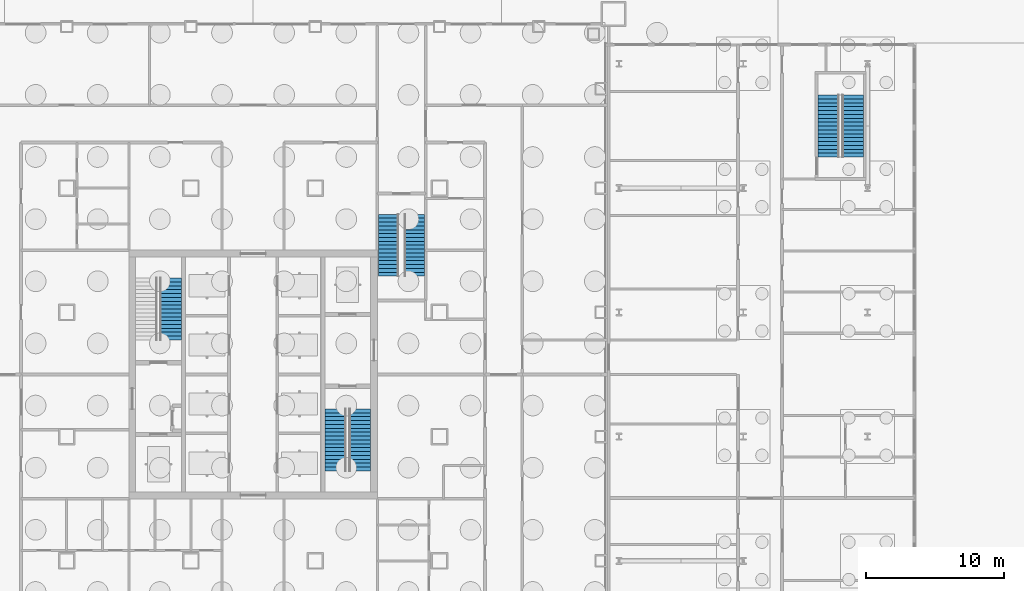
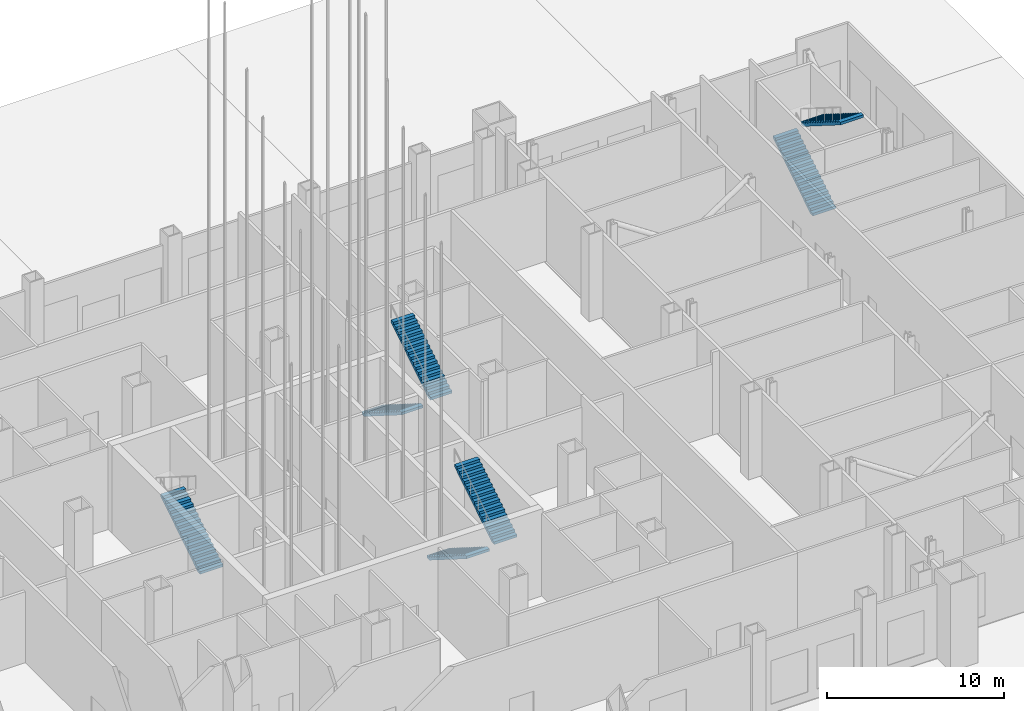
# One storey, part 14 of 36: 7 stair flights, 4 elements without a shape of their own.
"""IFC4 building model written with IfcOpenShell, lengths in metres."""

import ifcopenshell
import ifcopenshell.guid

model = None  # the IFC model being written
_history = None  # IfcOwnerHistory: only IFC2X3 demands one
_inside = {}  # id of a spatial element -> (the spatial element, [elements in it])
_under = {}  # id of a project, library or spatial element -> (it, [spatial elements below it])
_declared = {}  # id of a project -> (the project, [libraries it declares])
_typed = {}  # id of a type object -> (the type object, [elements of that type])
_made_of = {}  # id of a material, layer set ... -> (it, [elements and type objects made of it])


def new_model(schema):
    """Start an empty IFC model of exactly this schema.

    Asked for "IFC4X3", IfcOpenShell would pick the latest addendum, in which some entities
    have other attributes; the version numbers below select the first issue.
    IFC2X3 requires an IfcOwnerHistory on every rooted entity: one is made here for all.
    """
    global model, _history
    if schema == "IFC4X3":
        model = ifcopenshell.file(schema_version=(4, 3, 0, 0))
    else:
        model = ifcopenshell.file(schema=schema)
    _inside.clear()
    _under.clear()
    _declared.clear()
    _typed.clear()
    _made_of.clear()
    _history = None
    if model.schema == "IFC2X3":
        org = make("IfcOrganization", Name="unknown")
        user = make(
            "IfcPersonAndOrganization",
            ThePerson=make("IfcPerson", FamilyName="unknown"),
            TheOrganization=org,
        )
        app = make(
            "IfcApplication",
            ApplicationDeveloper=org,
            Version="unknown",
            ApplicationFullName="unknown",
            ApplicationIdentifier="unknown",
        )
        _history = make(
            "IfcOwnerHistory",
            OwningUser=user,
            OwningApplication=app,
            ChangeAction="ADDED",
            CreationDate=0,
        )
    return model


def make(cls, **values):
    """One entity of the class cls with the attributes given. An attribute that is None is left unset."""
    return model.create_entity(
        cls, **{name: value for name, value in values.items() if value is not None}
    )


def rooted(cls, **values):
    """An entity with a GlobalId (a new one), such as an element, a storey or a relation."""
    return make(cls, GlobalId=ifcopenshell.guid.new(), OwnerHistory=_history, **values)


def si_unit(unit_type, name, prefix=None):
    """IfcSIUnit, for example si_unit("LENGTHUNIT", "METRE", prefix="MILLI")."""
    return make("IfcSIUnit", UnitType=unit_type, Prefix=prefix, Name=name)


def assignment(units):
    """IfcUnitAssignment: the units of a project."""
    return None if units is None else make("IfcUnitAssignment", Units=units)


def point(xyz):
    """IfcCartesianPoint."""
    return None if xyz is None else make("IfcCartesianPoint", Coordinates=xyz)


def direction(xyz):
    """IfcDirection."""
    return None if xyz is None else make("IfcDirection", DirectionRatios=xyz)


def frame(location, z_axis=None, x_axis=None):
    """IfcAxis2Placement3D, a coordinate frame: its origin and axes. An axis left out is left unset."""
    return make(
        "IfcAxis2Placement3D",
        Location=point(location),
        Axis=direction(z_axis),
        RefDirection=direction(x_axis),
    )


def origin():
    """The frame at (0, 0, 0) with its axes left unset."""
    return frame((0.0, 0.0, 0.0))


def place(relative_to, where):
    """IfcLocalPlacement: puts the frame where relative to a parent placement (None: the world)."""
    return make(
        "IfcLocalPlacement", PlacementRelTo=relative_to, RelativePlacement=where
    )


def context(
    kind, dimensions, precision=None, world=None, true_north=None, identifier=None
):
    """IfcGeometricRepresentationContext, for example the 3D "Model" context."""
    return make(
        "IfcGeometricRepresentationContext",
        ContextIdentifier=identifier,
        ContextType=kind,
        CoordinateSpaceDimension=dimensions,
        Precision=precision,
        WorldCoordinateSystem=world,
        TrueNorth=true_north,
    )


def subcontext(parent, identifier, kind, view, scale=None):
    """IfcGeometricRepresentationSubContext, for example "Body" below "Model"."""
    return make(
        "IfcGeometricRepresentationSubContext",
        ContextIdentifier=identifier,
        ContextType=kind,
        ParentContext=parent,
        TargetScale=scale,
        TargetView=view,
    )


def project(units=None, contexts=None):
    """IfcProject with its units and contexts."""
    return rooted(
        "IfcProject",
        Name="project",
        RepresentationContexts=contexts,
        UnitsInContext=assignment(units),
    )


def spatial(cls, under=None, at=None, **own):
    """A site, building, storey or space (cls), placed at a placement, below another one or the project."""
    s = rooted(cls, ObjectPlacement=at, **own)
    if under is not None:
        _under.setdefault(under.id(), (under, []))[1].append(s)
    return s


def polyline(points):
    """IfcPolyline through the points."""
    return make("IfcPolyline", Points=[point(p) for p in points])


def outline(outer, holes=None, kind="AREA"):
    """IfcArbitraryClosedProfileDef: a profile drawn as a closed curve; with holes, ...WithVoids."""
    if holes is None:
        return make("IfcArbitraryClosedProfileDef", ProfileType=kind, OuterCurve=outer)
    return make(
        "IfcArbitraryProfileDefWithVoids",
        ProfileType=kind,
        OuterCurve=outer,
        InnerCurves=holes,
    )


def extrude(swept, where, along, depth):
    """IfcExtrudedAreaSolid: the profile swept, set in the frame where, extruded along a direction by depth."""
    return make(
        "IfcExtrudedAreaSolid",
        SweptArea=swept,
        Position=where,
        ExtrudedDirection=direction(along),
        Depth=depth,
    )


def shape(context_of_items, identifier, shape_type, items):
    """IfcShapeRepresentation: the items that make up one representation, for example the "Body"."""
    return make(
        "IfcShapeRepresentation",
        ContextOfItems=context_of_items,
        RepresentationIdentifier=identifier,
        RepresentationType=shape_type,
        Items=items,
    )


def material(Name=None, Category=None):
    """IfcMaterial."""
    return make("IfcMaterial", Name=Name, Category=Category)


def made_of(thing, what):
    """Note that an element or type object is made of a material, layer set ...; save() writes the relation."""
    if what is not None:
        _made_of.setdefault(what.id(), (what, []))[1].append(thing)
    return thing


def type_object(cls, material=None, **own):
    """A type object (cls), such as IfcWallType, which elements share."""
    return made_of(rooted(cls, **own), material)


def element(
    cls,
    number,
    at=None,
    inside=None,
    cuts=None,
    type_object=None,
    material=None,
    context=None,
    identifier="Body",
    shape_type=None,
    held_by="IfcProductDefinitionShape",
    body=None,
    shapes=None,
    **own,
):
    """One element of the class cls, such as IfcWall. Its Tag is "e" and its number.

    at: its placement. inside: the storey or other place that contains it. cuts: it is an
    opening in that element (IfcRelVoidsElement). A single representation is given by context,
    identifier, shape_type and body (its items); several are given by shapes. held_by: the class
    of the entity that holds the representations. save() writes the other relations.
    """
    e = rooted(cls, Tag="e%d" % number, ObjectPlacement=at, **own)
    if body is not None:
        shapes = [shape(context, identifier, shape_type, body)]
    if shapes is not None:
        e.Representation = make(held_by, Representations=shapes)
    if inside is not None:
        _inside.setdefault(inside.id(), (inside, []))[1].append(e)
    if cuts is not None:
        rooted(
            "IfcRelVoidsElement", RelatingBuildingElement=cuts, RelatedOpeningElement=e
        )
    if type_object is not None:
        _typed.setdefault(type_object.id(), (type_object, []))[1].append(e)
    return made_of(e, material)


def aggregate(whole, parts):
    """IfcRelAggregates: a whole, such as a stair, and the parts it consists of."""
    return rooted("IfcRelAggregates", RelatingObject=whole, RelatedObjects=parts)


def save(model, path):
    """Write the relations noted so far, then the file.

    IfcRelAggregates (storeys below a building ...), IfcRelContainedInSpatialStructure (elements
    in a storey), IfcRelDefinesByType, IfcRelAssociatesMaterial and IfcRelDeclares: one each for
    every whole, place, type object, material and project.
    """
    for whole, parts in _under.values():
        aggregate(whole, parts)
    for where, things in _inside.values():
        rooted(
            "IfcRelContainedInSpatialStructure",
            RelatedElements=things,
            RelatingStructure=where,
        )
    for kind, things in _typed.values():
        rooted("IfcRelDefinesByType", RelatedObjects=things, RelatingType=kind)
    for what, things in _made_of.values():
        rooted("IfcRelAssociatesMaterial", RelatedObjects=things, RelatingMaterial=what)
    for by, libraries in _declared.values():
        rooted("IfcRelDeclares", RelatingContext=by, RelatedDefinitions=libraries)
    model.write(path)


model = new_model("IFC4")

# Units and contexts
model_context = context("Model", 3, precision=1e-05, world=origin(), true_north=direction((0.0, 1.0)))
body_context = subcontext(model_context, "Body", "Model", "MODEL_VIEW")
ifc_project = project(units=[si_unit("LENGTHUNIT", "METRE"), si_unit("AREAUNIT", "SQUARE_METRE"), si_unit("VOLUMEUNIT", "CUBIC_METRE"), si_unit("PLANEANGLEUNIT", "RADIAN"), si_unit("MASSUNIT", "GRAM", prefix="KILO")], contexts=[model_context])

# Site, building, storey
site_placement = place(None, origin())
site = spatial("IfcSite", under=ifc_project, at=site_placement, CompositionType="ELEMENT")
building_placement = place(site_placement, origin())
building = spatial("IfcBuilding", under=site, at=building_placement, Name="Malebo Sky Hospital", CompositionType="ELEMENT")
storey_placement = place(building_placement, origin())
storey = spatial("IfcBuildingStorey", under=building, at=storey_placement, Name="L00", CompositionType="ELEMENT", Elevation=0.0)

# Stair, stair flights
ifc_material = material(Name="Concrete C40/50", Category="concrete")
stair_type_1 = type_object("IfcStairType", Name="HALF-TURN STAIR 1400 R176", PredefinedType="HALF_TURN_STAIR", material=ifc_material)
stair_1_placement = place(storey_placement, origin())
stair_1 = element("IfcStair", 1, at=stair_1_placement, inside=storey, type_object=stair_type_1, Name="Stair S3 L00 type ST4B", PredefinedType="HALF_TURN_STAIR")
stair_flight_type_1 = type_object("IfcStairFlightType", Name="STAIR FLIGHT 1400 R176", PredefinedType="STRAIGHT", material=ifc_material)
stair_flight_1_placement = place(storey_placement, frame((69.800048828125, 73.60009765625, 0.0), z_axis=(0.0, 0.0, 1.0), x_axis=(0.0, -1.0, 0.0)))
stair_flight_1 = element("IfcStairFlight", 2, at=stair_flight_1_placement, type_object=stair_flight_type_1, Name="S3 flight 1 type SF4B", NumberOfRisers=17, NumberOfTreads=16, PredefinedType="STRAIGHT", RiserHeight=0.176470588, TreadLength=0.28, context=body_context, shape_type="SweptSolid", body=[
    extrude(outline(polyline([(0.0, 0.0), (0.0, 0.176513671875), (0.280029296875, 0.176513671875), (0.280029296875, 0.35302734375), (0.56005859375, 0.35302734375), (0.56005859375, 0.529296875), (0.840087890625, 0.529296875), (0.840087890625, 0.705810546875), (1.1201171875, 0.705810546875), (1.1201171875, 0.88232421875), (1.39990234375, 0.88232421875), (1.39990234375, 1.058837890625), (1.679931640625, 1.058837890625), (1.679931640625, 1.2353515625), (1.9599609375, 1.2353515625), (1.9599609375, 1.411865234375), (2.239990234375, 1.411865234375), (2.239990234375, 1.588134765625), (2.52001953125, 1.588134765625), (2.52001953125, 1.7646484375), (2.800048828125, 1.7646484375), (2.800048828125, 1.941162109375), (3.080078125, 1.941162109375), (3.080078125, 2.11767578125), (3.360107421875, 2.11767578125), (3.360107421875, 2.294189453125), (3.639892578125, 2.294189453125), (3.639892578125, 2.470703125), (3.919921875, 2.470703125), (3.919921875, 2.64697265625), (4.199951171875, 2.64697265625), (4.199951171875, 2.823486328125), (4.47998046875, 2.823486328125), (4.47998046875, 3.0), (4.47998046875, 2.646240234375), (0.28125, 0.0), (0.0, 0.0)])), frame((0.0, 0.699951171875, 0.0), z_axis=(0.0, -1.0, 0.0), x_axis=(1.0, 0.0, 0.0)), (0.0, 0.0, 1.0), 1.39990234375),
])
stair_flight_2_placement = place(storey_placement, frame((71.699951171875, 69.1201171875, 3.0), z_axis=(0.0, 0.0, 1.0), x_axis=(0.0, 1.0, 0.0)))
stair_flight_2 = element("IfcStairFlight", 3, at=stair_flight_2_placement, type_object=stair_flight_type_1, Name="S3 flight 2 type SF4B", NumberOfRisers=17, NumberOfTreads=16, PredefinedType="STRAIGHT", RiserHeight=0.176470588, TreadLength=0.28, context=body_context, shape_type="SweptSolid", body=[
    extrude(outline(polyline([(0.0, 0.0), (0.0, 0.176513671875), (0.280029296875, 0.176513671875), (0.280029296875, 0.35302734375), (0.56005859375, 0.35302734375), (0.56005859375, 0.529296875), (0.840087890625, 0.529296875), (0.840087890625, 0.705810546875), (1.1201171875, 0.705810546875), (1.1201171875, 0.88232421875), (1.39990234375, 0.88232421875), (1.39990234375, 1.058837890625), (1.679931640625, 1.058837890625), (1.679931640625, 1.2353515625), (1.9599609375, 1.2353515625), (1.9599609375, 1.411865234375), (2.239990234375, 1.411865234375), (2.239990234375, 1.588134765625), (2.52001953125, 1.588134765625), (2.52001953125, 1.7646484375), (2.800048828125, 1.7646484375), (2.800048828125, 1.941162109375), (3.080078125, 1.941162109375), (3.080078125, 2.11767578125), (3.360107421875, 2.11767578125), (3.360107421875, 2.294189453125), (3.639892578125, 2.294189453125), (3.639892578125, 2.470703125), (3.919921875, 2.470703125), (3.919921875, 2.64697265625), (4.199951171875, 2.64697265625), (4.199951171875, 2.823486328125), (4.47998046875, 2.823486328125), (4.47998046875, 3.0), (4.47998046875, 2.646240234375), (0.28125, 0.0), (0.0, 0.0)])), frame((0.0, 0.699951171875, 0.0), z_axis=(0.0, -1.0, 0.0), x_axis=(1.0, 0.0, 0.0)), (0.0, 0.0, 1.0), 1.39990234375),
])
aggregate(stair_1, [stair_flight_1, stair_flight_2])

# Stair, stair flight
stair_type_2 = type_object("IfcStairType", Name="HALF-TURN STAIR 1500 R176", PredefinedType="HALF_TURN_STAIR", material=ifc_material)
stair_2_placement = place(storey_placement, origin())
stair_2 = element("IfcStair", 4, at=stair_2_placement, inside=storey, type_object=stair_type_2, Name="Stair S1 L00 type ST4", PredefinedType="HALF_TURN_STAIR")
stair_flight_type_2 = type_object("IfcStairFlightType", Name="STAIR FLIGHT 1500 R176", PredefinedType="STRAIGHT", material=ifc_material)
stair_flight_3_placement = place(storey_placement, frame((54.050048828125, 64.5, 0.0), z_axis=(0.0, 0.0, 1.0), x_axis=(0.0, 1.0, 0.0)))
stair_flight_3 = element("IfcStairFlight", 5, at=stair_flight_3_placement, type_object=stair_flight_type_2, Name="S1 flight 1 type SF4", NumberOfRisers=17, NumberOfTreads=16, PredefinedType="STRAIGHT", RiserHeight=0.176470588, TreadLength=0.28, context=body_context, shape_type="SweptSolid", body=[
    extrude(outline(polyline([(0.0, 0.0), (0.0, 0.176513671875), (0.280029296875, 0.176513671875), (0.280029296875, 0.35302734375), (0.56005859375, 0.35302734375), (0.56005859375, 0.529296875), (0.840087890625, 0.529296875), (0.840087890625, 0.705810546875), (1.1201171875, 0.705810546875), (1.1201171875, 0.88232421875), (1.39990234375, 0.88232421875), (1.39990234375, 1.058837890625), (1.679931640625, 1.058837890625), (1.679931640625, 1.2353515625), (1.9599609375, 1.2353515625), (1.9599609375, 1.411865234375), (2.239990234375, 1.411865234375), (2.239990234375, 1.588134765625), (2.52001953125, 1.588134765625), (2.52001953125, 1.7646484375), (2.800048828125, 1.7646484375), (2.800048828125, 1.941162109375), (3.080078125, 1.941162109375), (3.080078125, 2.11767578125), (3.360107421875, 2.11767578125), (3.360107421875, 2.294189453125), (3.639892578125, 2.294189453125), (3.639892578125, 2.470703125), (3.919921875, 2.470703125), (3.919921875, 2.64697265625), (4.199951171875, 2.64697265625), (4.199951171875, 2.823486328125), (4.47998046875, 2.823486328125), (4.47998046875, 3.0), (4.47998046875, 2.646240234375), (0.28125, 0.0), (0.0, 0.0)])), frame((0.0, 0.75, 0.0), z_axis=(0.0, -1.0, 0.0), x_axis=(1.0, 0.0, 0.0)), (0.0, 0.0, 1.0), 1.5),
])
aggregate(stair_2, [stair_flight_3])

# Stair, stair flights
stair_3_placement = place(storey_placement, origin())
stair_3 = element("IfcStair", 6, at=stair_3_placement, inside=storey, type_object=stair_type_2, Name="Stair S2 L00 type ST4", PredefinedType="HALF_TURN_STAIR")
stair_flight_4_placement = place(storey_placement, frame((65.949951171875, 59.5, 0.0), z_axis=(0.0, 0.0, 1.0), x_axis=(0.0, -1.0, 0.0)))
stair_flight_4 = element("IfcStairFlight", 7, at=stair_flight_4_placement, type_object=stair_flight_type_2, Name="S2 flight 1 type SF4", NumberOfRisers=17, NumberOfTreads=16, PredefinedType="STRAIGHT", RiserHeight=0.176470588, TreadLength=0.28, context=body_context, shape_type="SweptSolid", body=[
    extrude(outline(polyline([(0.0, 0.0), (0.0, 0.176513671875), (0.280029296875, 0.176513671875), (0.280029296875, 0.35302734375), (0.56005859375, 0.35302734375), (0.56005859375, 0.529296875), (0.840087890625, 0.529296875), (0.840087890625, 0.705810546875), (1.1201171875, 0.705810546875), (1.1201171875, 0.88232421875), (1.39990234375, 0.88232421875), (1.39990234375, 1.058837890625), (1.679931640625, 1.058837890625), (1.679931640625, 1.2353515625), (1.9599609375, 1.2353515625), (1.9599609375, 1.411865234375), (2.239990234375, 1.411865234375), (2.239990234375, 1.588134765625), (2.52001953125, 1.588134765625), (2.52001953125, 1.7646484375), (2.800048828125, 1.7646484375), (2.800048828125, 1.941162109375), (3.080078125, 1.941162109375), (3.080078125, 2.11767578125), (3.360107421875, 2.11767578125), (3.360107421875, 2.294189453125), (3.639892578125, 2.294189453125), (3.639892578125, 2.470703125), (3.919921875, 2.470703125), (3.919921875, 2.64697265625), (4.199951171875, 2.64697265625), (4.199951171875, 2.823486328125), (4.47998046875, 2.823486328125), (4.47998046875, 3.0), (4.47998046875, 2.646240234375), (0.28125, 0.0), (0.0, 0.0)])), frame((0.0, 0.75, 0.0), z_axis=(0.0, -1.0, 0.0), x_axis=(1.0, 0.0, 0.0)), (0.0, 0.0, 1.0), 1.5),
])
stair_flight_5_placement = place(storey_placement, frame((67.75, 55.02001953125, 3.0), z_axis=(0.0, 0.0, 1.0), x_axis=(0.0, 1.0, 0.0)))
stair_flight_5 = element("IfcStairFlight", 8, at=stair_flight_5_placement, type_object=stair_flight_type_2, Name="S2 flight 2 type SF4", NumberOfRisers=17, NumberOfTreads=16, PredefinedType="STRAIGHT", RiserHeight=0.176470588, TreadLength=0.28, context=body_context, shape_type="SweptSolid", body=[
    extrude(outline(polyline([(0.0, 0.0), (0.0, 0.176513671875), (0.280029296875, 0.176513671875), (0.280029296875, 0.35302734375), (0.56005859375, 0.35302734375), (0.56005859375, 0.529296875), (0.840087890625, 0.529296875), (0.840087890625, 0.705810546875), (1.1201171875, 0.705810546875), (1.1201171875, 0.88232421875), (1.39990234375, 0.88232421875), (1.39990234375, 1.058837890625), (1.679931640625, 1.058837890625), (1.679931640625, 1.2353515625), (1.9599609375, 1.2353515625), (1.9599609375, 1.411865234375), (2.239990234375, 1.411865234375), (2.239990234375, 1.588134765625), (2.52001953125, 1.588134765625), (2.52001953125, 1.7646484375), (2.800048828125, 1.7646484375), (2.800048828125, 1.941162109375), (3.080078125, 1.941162109375), (3.080078125, 2.11767578125), (3.360107421875, 2.11767578125), (3.360107421875, 2.294189453125), (3.639892578125, 2.294189453125), (3.639892578125, 2.470703125), (3.919921875, 2.470703125), (3.919921875, 2.64697265625), (4.199951171875, 2.64697265625), (4.199951171875, 2.823486328125), (4.47998046875, 2.823486328125), (4.47998046875, 3.0), (4.47998046875, 2.646240234375), (0.28125, 0.0), (0.0, 0.0)])), frame((0.0, 0.75, 0.0), z_axis=(0.0, -1.0, 0.0), x_axis=(1.0, 0.0, 0.0)), (0.0, 0.0, 1.0), 1.5),
])
aggregate(stair_3, [stair_flight_4, stair_flight_5])

stair_4_placement = place(storey_placement, origin())
stair_4 = element("IfcStair", 9, at=stair_4_placement, inside=storey, type_object=stair_type_2, Name="Stair ES L00 type ST4", PredefinedType="HALF_TURN_STAIR")
stair_flight_6_placement = place(storey_placement, frame((101.64990234375, 77.75, 0.0), z_axis=(0.0, 0.0, 1.0), x_axis=(0.0, 1.0, 0.0)))
stair_flight_6 = element("IfcStairFlight", 10, at=stair_flight_6_placement, type_object=stair_flight_type_2, Name="ES flight 1 type SF4", NumberOfRisers=17, NumberOfTreads=16, PredefinedType="STRAIGHT", RiserHeight=0.176470588, TreadLength=0.28, context=body_context, shape_type="SweptSolid", body=[
    extrude(outline(polyline([(0.0, 0.0), (0.0, 0.176513671875), (0.280029296875, 0.176513671875), (0.280029296875, 0.35302734375), (0.56005859375, 0.35302734375), (0.56005859375, 0.529296875), (0.840087890625, 0.529296875), (0.840087890625, 0.705810546875), (1.1201171875, 0.705810546875), (1.1201171875, 0.88232421875), (1.39990234375, 0.88232421875), (1.39990234375, 1.058837890625), (1.679931640625, 1.058837890625), (1.679931640625, 1.2353515625), (1.9599609375, 1.2353515625), (1.9599609375, 1.411865234375), (2.239990234375, 1.411865234375), (2.239990234375, 1.588134765625), (2.52001953125, 1.588134765625), (2.52001953125, 1.7646484375), (2.800048828125, 1.7646484375), (2.800048828125, 1.941162109375), (3.080078125, 1.941162109375), (3.080078125, 2.11767578125), (3.360107421875, 2.11767578125), (3.360107421875, 2.294189453125), (3.639892578125, 2.294189453125), (3.639892578125, 2.470703125), (3.919921875, 2.470703125), (3.919921875, 2.64697265625), (4.199951171875, 2.64697265625), (4.199951171875, 2.823486328125), (4.47998046875, 2.823486328125), (4.47998046875, 3.0), (4.47998046875, 2.646240234375), (0.28125, 0.0), (0.0, 0.0)])), frame((0.0, 0.75, 0.0), z_axis=(0.0, -1.0, 0.0), x_axis=(1.0, 0.0, 0.0)), (0.0, 0.0, 1.0), 1.5),
])
stair_flight_7_placement = place(storey_placement, frame((103.449951171875, 82.22998046875, 3.0), z_axis=(0.0, 0.0, 1.0), x_axis=(0.0, -1.0, 0.0)))
stair_flight_7 = element("IfcStairFlight", 11, at=stair_flight_7_placement, type_object=stair_flight_type_2, Name="ES flight 2 type SF4", NumberOfRisers=17, NumberOfTreads=16, PredefinedType="STRAIGHT", RiserHeight=0.176470588, TreadLength=0.28, context=body_context, shape_type="SweptSolid", body=[
    extrude(outline(polyline([(0.0, 0.0), (0.0, 0.176513671875), (0.280029296875, 0.176513671875), (0.280029296875, 0.35302734375), (0.56005859375, 0.35302734375), (0.56005859375, 0.529296875), (0.840087890625, 0.529296875), (0.840087890625, 0.705810546875), (1.1201171875, 0.705810546875), (1.1201171875, 0.88232421875), (1.39990234375, 0.88232421875), (1.39990234375, 1.058837890625), (1.679931640625, 1.058837890625), (1.679931640625, 1.2353515625), (1.9599609375, 1.2353515625), (1.9599609375, 1.411865234375), (2.239990234375, 1.411865234375), (2.239990234375, 1.588134765625), (2.52001953125, 1.588134765625), (2.52001953125, 1.7646484375), (2.800048828125, 1.7646484375), (2.800048828125, 1.941162109375), (3.080078125, 1.941162109375), (3.080078125, 2.11767578125), (3.360107421875, 2.11767578125), (3.360107421875, 2.294189453125), (3.639892578125, 2.294189453125), (3.639892578125, 2.470703125), (3.919921875, 2.470703125), (3.919921875, 2.64697265625), (4.199951171875, 2.64697265625), (4.199951171875, 2.823486328125), (4.47998046875, 2.823486328125), (4.47998046875, 3.0), (4.47998046875, 2.646240234375), (0.28125, 0.0), (0.0, 0.0)])), frame((0.0, 0.75, 0.0), z_axis=(0.0, -1.0, 0.0), x_axis=(1.0, 0.0, 0.0)), (0.0, 0.0, 1.0), 1.5),
])
aggregate(stair_4, [stair_flight_6, stair_flight_7])

save(model, "model.ifc")
